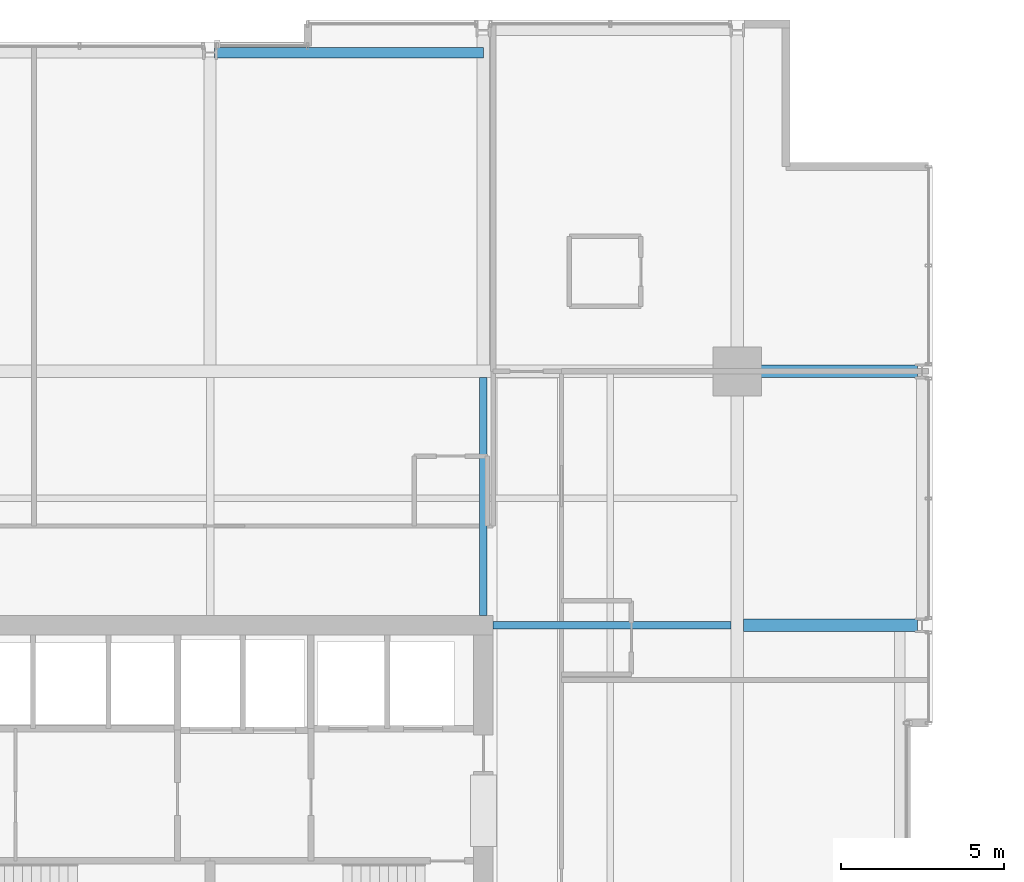
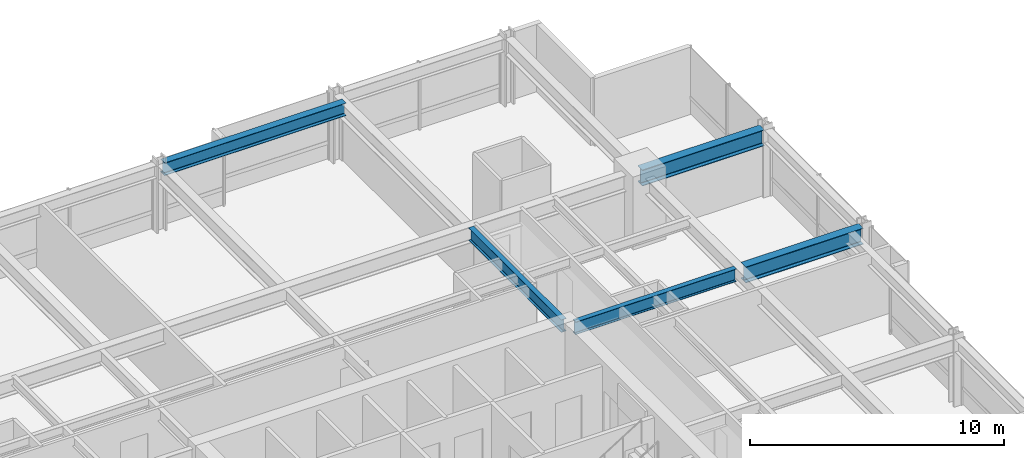
# One storey, part 23 of 34: 5 beams.
"""IFC4 building model written with IfcOpenShell, lengths in metres."""

from ifc_helpers import new_model, si_unit, direction, frame, origin, origin_2d, place, context, subcontext, project, spatial, i_section, extrude, material, material_profile, profile_set, type_object, element, save


model = new_model("IFC4")

# Units and contexts
model_context = context("Model", 3, precision=1e-05, world=origin(), true_north=direction((0.0, 1.0)))
body_context = subcontext(model_context, "Body", "Model", "MODEL_VIEW")
ifc_project = project(units=[si_unit("LENGTHUNIT", "METRE"), si_unit("AREAUNIT", "SQUARE_METRE"), si_unit("VOLUMEUNIT", "CUBIC_METRE"), si_unit("PLANEANGLEUNIT", "RADIAN"), si_unit("MASSUNIT", "GRAM", prefix="KILO")], contexts=[model_context])

# Site, building, storey
site_placement = place(None, origin())
site = spatial("IfcSite", under=ifc_project, at=site_placement, CompositionType="ELEMENT")
building_placement = place(site_placement, origin())
building = spatial("IfcBuilding", under=site, at=building_placement, Name="Drelvath Grand Hotel", CompositionType="ELEMENT")
storey_placement = place(building_placement, frame((0.0, 0.0, 116.300048828125)))
storey = spatial("IfcBuildingStorey", under=building, at=storey_placement, Name="L29", CompositionType="ELEMENT", Elevation=116.300048828125)

# Beams
ifc_material = material(Name="Steel ASTM A992 Gr 50", Category="steel")
ifc_material_profile_1 = material_profile(ifc_material, i_section(OverallWidth=0.323974609375, OverallDepth=0.611083984375, WebThickness=0.0126953125, FlangeThickness=0.01904296875, FilletRadius=0.02197265625, at=origin_2d()), Name="W24X104")
ifc_profile_set_1 = profile_set([ifc_material_profile_1], Name="Steel ASTM A992 Gr 50")
beam_type_1 = type_object("IfcBeamType", Name="Perimeter Spandrel Beam W24X104", PredefinedType="SPANDREL", material=ifc_profile_set_1)
beam_1_placement = place(storey_placement, frame((0.139892578125, 53.0, 2.9345703125), z_axis=(1.0, 0.0, 0.0), x_axis=(0.0, 1.0, 0.0)))
element("IfcBeam", 1, at=beam_1_placement, inside=storey, type_object=beam_type_1, Name="L29 Spandrel North Mid E", PredefinedType="SPANDREL", context=body_context, shape_type="SweptSolid", body=[
    extrude(i_section(OverallWidth=0.323974609375, OverallDepth=0.611083984375, WebThickness=0.0126953125, FlangeThickness=0.01904296875, FilletRadius=0.02197265625, at=origin_2d()), origin(), (0.0, 0.0, 1.0), 8.260009765625),
])
ifc_material_profile_2 = material_profile(ifc_material, i_section(OverallWidth=0.228271484375, OverallDepth=0.607666015625, WebThickness=0.01123046875, FlangeThickness=0.017333984375, FilletRadius=0.02001953125, at=origin_2d()), Name="W24X76")
ifc_profile_set_2 = profile_set([ifc_material_profile_2], Name="Steel ASTM A992 Gr 50")
beam_type_2 = type_object("IfcBeamType", Name="Primary Floor Girder W24X76", PredefinedType="BEAM", material=ifc_profile_set_2)
for number, where, z_axis, x_axis, name in (
    (2, (8.699951171875, 35.39990234375, 2.93603515625), (1.0, 0.0, 0.0), (0.0, 1.0, 0.0), "L29 East Core Tie F"),
    (3, (8.39990234375, 35.699951171875, 2.93603515625), (0.0, 1.0, 0.0), (-1.0, 0.0, 0.0), "L29 North Core Tie 6"),
):
    element("IfcBeam", number, at=place(storey_placement, frame(where, z_axis=z_axis, x_axis=x_axis)), inside=storey, type_object=beam_type_2, Name=name, PredefinedType="BEAM", context=body_context, shape_type="SweptSolid", body=[
        extrude(i_section(OverallWidth=0.228271484375, OverallDepth=0.607666015625, WebThickness=0.01123046875, FlangeThickness=0.017333984375, FilletRadius=0.02001953125, at=origin_2d()), origin(), (0.0, 0.0, 1.0), 7.309814453125),
    ])
ifc_material_profile_3 = material_profile(ifc_material, i_section(OverallWidth=0.380615234375, OverallDepth=0.773193359375, WebThickness=0.0166015625, FlangeThickness=0.027099609375, FilletRadius=0.02490234375, at=origin_2d()), Name="W30X173")
ifc_profile_set_3 = profile_set([ifc_material_profile_3], Name="Steel ASTM A992 Gr 50")
beam_type_3 = type_object("IfcBeamType", Name="Primary Floor Girder W30X173", PredefinedType="BEAM", material=ifc_profile_set_3)
beam_2_placement = place(storey_placement, frame((16.199951171875, 43.199951171875, 2.853271484375), z_axis=(1.0, 0.0, 0.0), x_axis=(0.0, 1.0, 0.0)))
element("IfcBeam", 4, at=beam_2_placement, inside=storey, type_object=beam_type_3, Name="L29 East Grid Girder G", PredefinedType="BEAM", context=body_context, shape_type="SweptSolid", body=[
    extrude(i_section(OverallWidth=0.380615234375, OverallDepth=0.773193359375, WebThickness=0.0166015625, FlangeThickness=0.027099609375, FilletRadius=0.02490234375, at=origin_2d()), origin(), (0.0, 0.0, 1.0), 5.5400390625),
])
beam_3_placement = place(storey_placement, frame((16.390380859375, 35.39990234375, 2.853271484375), z_axis=(1.0, 0.0, 0.0), x_axis=(0.0, 1.0, 0.0)))
element("IfcBeam", 5, at=beam_3_placement, inside=storey, type_object=beam_type_3, Name="L29 East Wing Girder F", PredefinedType="BEAM", context=body_context, shape_type="SweptSolid", body=[
    extrude(i_section(OverallWidth=0.380615234375, OverallDepth=0.773193359375, WebThickness=0.0166015625, FlangeThickness=0.027099609375, FilletRadius=0.02490234375, at=origin_2d()), origin(), (0.0, 0.0, 1.0), 5.349609375),
])

save(model, "model.ifc")
